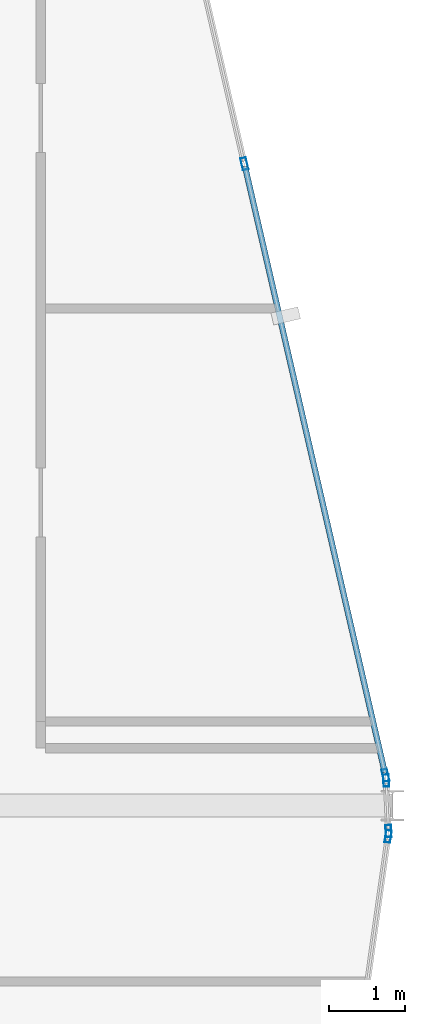
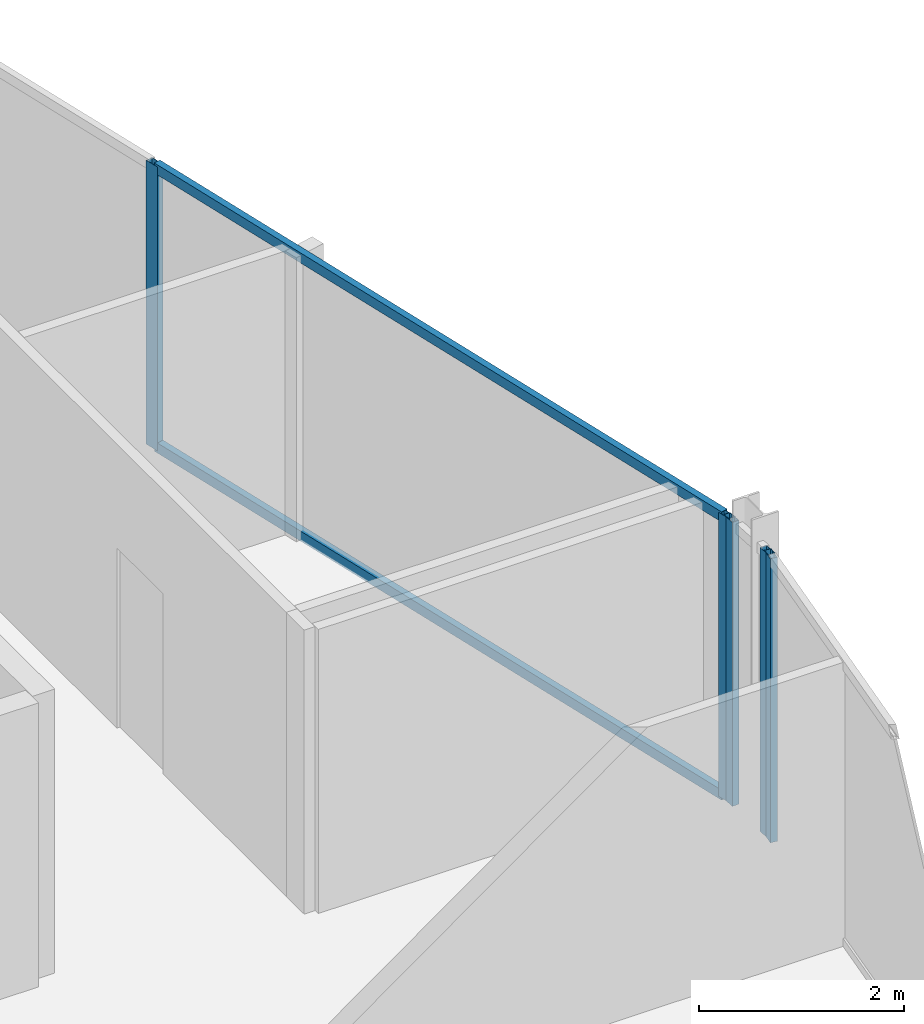
# One storey, part 14 of 28: 7 members, 3 elements without a shape of their own.
"""IFC4 building model written with IfcOpenShell, lengths in metres."""

from ifc_helpers import new_model, si_unit, direction, frame, origin, origin_2d, place, context, subcontext, project, spatial, hollow_rectangle, extrude, material, layer, layer_set, material_profile, profile_set, type_object, element, aggregate, save


model = new_model("IFC4")

# Units and contexts
model_context = context("Model", 3, precision=1e-05, world=origin(), true_north=direction((0.0, 1.0)))
body_context = subcontext(model_context, "Body", "Model", "MODEL_VIEW")
ifc_project = project(units=[si_unit("LENGTHUNIT", "METRE"), si_unit("AREAUNIT", "SQUARE_METRE"), si_unit("VOLUMEUNIT", "CUBIC_METRE"), si_unit("PLANEANGLEUNIT", "RADIAN"), si_unit("MASSUNIT", "GRAM", prefix="KILO")], contexts=[model_context])

# Site, building, storey
site_placement = place(None, origin())
site = spatial("IfcSite", under=ifc_project, at=site_placement, CompositionType="ELEMENT")
building_placement = place(site_placement, origin())
building = spatial("IfcBuilding", under=site, at=building_placement, Name="Keshet Zoharim Tower", CompositionType="ELEMENT")
storey_placement = place(building_placement, frame((0.0, 0.0, 265.800048828125)))
storey = spatial("IfcBuildingStorey", under=building, at=storey_placement, Name="L66", CompositionType="ELEMENT", Elevation=265.800048828125)

# Curtain wall, members
ifc_material = material(Name="Aluminium 6063-T6", Category="aluminium")
ifc_layer = layer(ifc_material, 0.260009765625)
ifc_layer_set = layer_set([ifc_layer], Name="Aluminium 6063-T6")
curtain_wall_type = type_object("IfcCurtainWallType", Name="CW-SYS-06", PredefinedType="NOTDEFINED", material=ifc_layer_set)
curtain_wall_1_placement = place(storey_placement, origin())
curtain_wall_1 = element("IfcCurtainWall", 1, at=curtain_wall_1_placement, inside=storey, type_object=curtain_wall_type, Name="L66 Unitised Curtain Wall 09", PredefinedType="NOTDEFINED")
ifc_material_profile_1 = material_profile(ifc_material, hollow_rectangle(XDim=0.074951171875, YDim=0.159912109375, WallThickness=0.00390625, at=origin_2d()), Name="MUL-75x160")
ifc_profile_set_1 = profile_set([ifc_material_profile_1], Name="Aluminium 6063-T6")
member_type_1 = type_object("IfcMemberType", Name="CWM-M15", PredefinedType="MULLION", material=ifc_profile_set_1)
member_1_placement = place(storey_placement, frame((43.063232421875, 36.291259765625, 0.0), z_axis=(0.0, 0.0, 1.0), x_axis=(0.974398012932, 0.224829963294, 0.0)))
member_1 = element("IfcMember", 2, at=member_1_placement, type_object=member_type_1, Name="CW-06 mullion 3", PredefinedType="MULLION", context=body_context, shape_type="SweptSolid", body=[
    extrude(hollow_rectangle(XDim=0.074951171875, YDim=0.159912109375, WallThickness=0.00390625, at=origin_2d()), origin(), (0.0, 0.0, 1.0), 3.389892578125),
])
member_2_placement = place(storey_placement, frame((44.908203125, 28.296142578125, 0.0), z_axis=(0.0, 0.0, 1.0), x_axis=(0.974398012932, 0.224829963294, 0.0)))
member_2 = element("IfcMember", 3, at=member_2_placement, type_object=member_type_1, Name="CW-06 mullion 4", PredefinedType="MULLION", context=body_context, shape_type="SweptSolid", body=[
    extrude(hollow_rectangle(XDim=0.074951171875, YDim=0.159912109375, WallThickness=0.00390625, at=origin_2d()), origin(), (0.0, 0.0, 1.0), 3.389892578125),
])

curtain_wall_2_placement = place(storey_placement, origin())
curtain_wall_2 = element("IfcCurtainWall", 4, at=curtain_wall_2_placement, inside=storey, type_object=curtain_wall_type, Name="L66 Unitised Curtain Wall 10", PredefinedType="NOTDEFINED")
member_3_placement = place(storey_placement, frame((44.91748046875, 28.22705078125, 0.0), z_axis=(0.0, 0.0, 1.0), x_axis=(0.999040601801, 0.043793560626, 0.0)))
member_3 = element("IfcMember", 5, at=member_3_placement, type_object=member_type_1, Name="CW-06 mullion 1", PredefinedType="MULLION", context=body_context, shape_type="SweptSolid", body=[
    extrude(hollow_rectangle(XDim=0.074951171875, YDim=0.159912109375, WallThickness=0.00390625, at=origin_2d()), origin(), (0.0, 0.0, 1.0), 3.389892578125),
])
member_4_placement = place(storey_placement, frame((44.946533203125, 27.56689453125, 0.0), z_axis=(0.0, 0.0, 1.0), x_axis=(0.999040601801, 0.043793560626, 0.0)))
member_4 = element("IfcMember", 6, at=member_4_placement, type_object=member_type_1, Name="CW-06 mullion 2", PredefinedType="MULLION", context=body_context, shape_type="SweptSolid", body=[
    extrude(hollow_rectangle(XDim=0.074951171875, YDim=0.159912109375, WallThickness=0.00390625, at=origin_2d()), origin(), (0.0, 0.0, 1.0), 3.389892578125),
])
aggregate(curtain_wall_2, [member_3, member_4])

# Curtain wall, member
curtain_wall_3_placement = place(storey_placement, origin())
curtain_wall_3 = element("IfcCurtainWall", 7, at=curtain_wall_3_placement, inside=storey, type_object=curtain_wall_type, Name="L66 Unitised Curtain Wall 11", PredefinedType="NOTDEFINED")
member_5_placement = place(storey_placement, frame((44.943115234375, 27.497314453125, 0.0), z_axis=(0.0, 0.0, 1.0), x_axis=(0.990132057422, -0.140137464177, 0.0)))
member_5 = element("IfcMember", 8, at=member_5_placement, type_object=member_type_1, Name="CW-06 mullion 1", PredefinedType="MULLION", context=body_context, shape_type="SweptSolid", body=[
    extrude(hollow_rectangle(XDim=0.074951171875, YDim=0.159912109375, WallThickness=0.00390625, at=origin_2d()), origin(), (0.0, 0.0, 1.0), 3.389892578125),
])
aggregate(curtain_wall_3, [member_5])

# Member
ifc_material_profile_2 = material_profile(ifc_material, hollow_rectangle(XDim=0.074951171875, YDim=0.1201171875, WallThickness=0.00390625, at=origin_2d()), Name="TRN-75x120")
ifc_profile_set_2 = profile_set([ifc_material_profile_2], Name="Aluminium 6063-T6")
member_type_2 = type_object("IfcMemberType", Name="CWT-T12", PredefinedType="USERDEFINED", material=ifc_profile_set_2)
member_6_placement = place(storey_placement, frame((43.0712890625, 36.25732421875, 0.034912109375), z_axis=(0.224806904107, -0.974403333259, 0.0), x_axis=(0.974403333259, 0.224806904107, 0.0)))
member_6 = element("IfcMember", 9, at=member_6_placement, type_object=member_type_2, Name="CW-06 transom 3.1", ObjectType="TRANSOM", PredefinedType="USERDEFINED", context=body_context, shape_type="SweptSolid", body=[
    extrude(hollow_rectangle(XDim=0.074951171875, YDim=0.1201171875, WallThickness=0.00390625, at=origin_2d()), origin(), (0.0, 0.0, 1.0), 8.13525390625),
])

member_7_placement = place(storey_placement, frame((43.0712890625, 36.25732421875, 3.35498046875), z_axis=(0.224806904107, -0.974403333259, 0.0), x_axis=(0.974403333259, 0.224806904107, 0.0)))
member_7 = element("IfcMember", 10, at=member_7_placement, type_object=member_type_2, Name="CW-06 transom 3.2", ObjectType="TRANSOM", PredefinedType="USERDEFINED", context=body_context, shape_type="SweptSolid", body=[
    extrude(hollow_rectangle(XDim=0.074951171875, YDim=0.1201171875, WallThickness=0.00390625, at=origin_2d()), origin(), (0.0, 0.0, 1.0), 8.13525390625),
])

aggregate(curtain_wall_1, [member_1, member_2, member_6, member_7])

save(model, "model.ifc")
